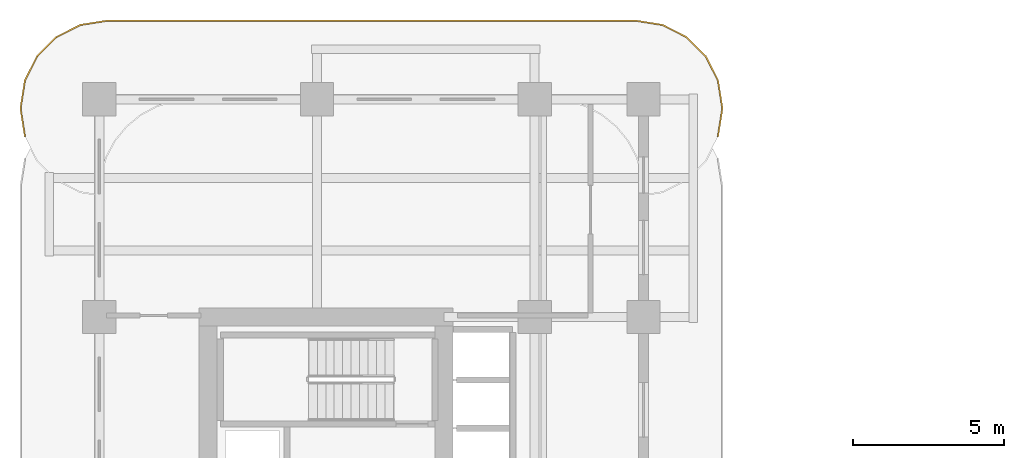
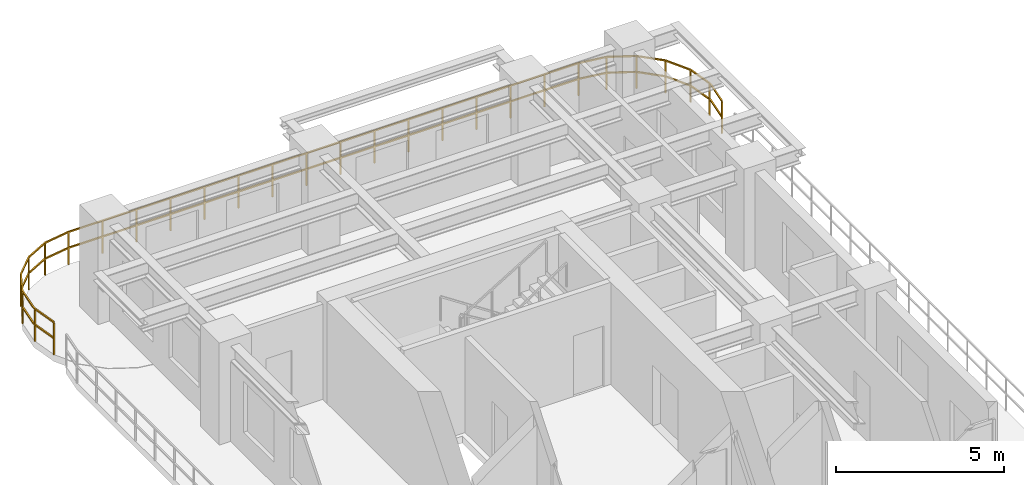
# One storey, part 19 of 19: 1 railing.
"""IFC4 building model written with IfcOpenShell, lengths in metres."""

from ifc_helpers import new_model, si_unit, derived_unit, direction, frame, origin, origin_2d, place, context, subcontext, project, spatial, rectangle, extrude, material, type_object, element, save


model = new_model("IFC4")

# Units and contexts
model_context = context("Model", 3, precision=1e-05, world=origin(), true_north=direction((0.0, 1.0)))
body_context = subcontext(model_context, "Body", "Model", "MODEL_VIEW")
ifc_project = project(units=[si_unit("LENGTHUNIT", "METRE"), si_unit("AREAUNIT", "SQUARE_METRE"), si_unit("VOLUMEUNIT", "CUBIC_METRE"), si_unit("PLANEANGLEUNIT", "RADIAN"), si_unit("MASSUNIT", "GRAM", prefix="KILO"), si_unit("THERMODYNAMICTEMPERATUREUNIT", "KELVIN"), si_unit("POWERUNIT", "WATT"), derived_unit("THERMALTRANSMITTANCEUNIT", [(si_unit("POWERUNIT", "WATT"), 1), (si_unit("AREAUNIT", "SQUARE_METRE"), -1), (si_unit("THERMODYNAMICTEMPERATUREUNIT", "KELVIN"), -1)])], contexts=[model_context])

# Site, building, storey
site_placement = place(None, origin())
site = spatial("IfcSite", under=ifc_project, at=site_placement, CompositionType="ELEMENT")
building_placement = place(site_placement, origin())
building = spatial("IfcBuilding", under=site, at=building_placement, Name="Zahravan Archway Hotel and Residences", CompositionType="ELEMENT")
storey_placement = place(building_placement, frame((0.0, 0.0, 62.0)))
storey = spatial("IfcBuildingStorey", under=building, at=storey_placement, Name="L14", CompositionType="ELEMENT", Elevation=62.0)

# Railing
ifc_material = material(Name="Bronze & Laminated Glass Balustrade", Category="glass")
railing_type = type_object("IfcRailingType", Name="RL-BAL-1200", PredefinedType="BALUSTRADE", material=ifc_material)
railing_placement = place(storey_placement, frame((-2.46044921875, 45.5693359375, 0.0)))
element("IfcRailing", 1, at=railing_placement, inside=storey, type_object=railing_type, Name="L14 Balustrade RL-SLB-BAL-L14-NB-1", PredefinedType="BALUSTRADE", context=body_context, shape_type="SweptSolid", body=[
    extrude(rectangle(XDim=0.048095703125, YDim=0.048095703125, at=origin_2d()), frame((0.0, 0.0, 1.17578125), z_axis=(-0.156623399917, 0.987658397726, 0.0), x_axis=(-0.987658397726, -0.156623399917, 0.0)), (0.0, 0.0, 1.0), 0.8916015625),
    extrude(rectangle(XDim=0.048095703125, YDim=0.048095703125, at=origin_2d()), frame((0.0, 0.0, 0.60009765625), z_axis=(-0.156623399917, 0.987658397726, 0.0), x_axis=(-0.987658397726, -0.156623399917, 0.0)), (0.0, 0.0, 1.0), 0.8916015625),
    extrude(rectangle(XDim=0.048095703125, YDim=0.048095703125, at=origin_2d()), frame((-0.1396484375, 0.880615234375, 1.17578125), z_axis=(0.0, 1.0, 0.0), x_axis=(-1.0, 0.0, 0.0)), (0.0, 0.0, 1.0), 0.10009765625),
    extrude(rectangle(XDim=0.048095703125, YDim=0.048095703125, at=origin_2d()), frame((-0.1396484375, 0.880615234375, 0.60009765625), z_axis=(0.0, 1.0, 0.0), x_axis=(-1.0, 0.0, 0.0)), (0.0, 0.0, 1.0), 0.10009765625),
    extrude(rectangle(XDim=0.048095703125, YDim=0.048095703125, at=origin_2d()), frame((-0.1396484375, 0.980712890625, 1.17578125), z_axis=(0.156623399917, 0.987658397726, 0.0), x_axis=(-0.987658397726, 0.156623399917, 0.0)), (0.0, 0.0, 1.0), 0.8916015625),
    extrude(rectangle(XDim=0.048095703125, YDim=0.048095703125, at=origin_2d()), frame((-0.1396484375, 0.980712890625, 0.60009765625), z_axis=(0.156623399917, 0.987658397726, 0.0), x_axis=(-0.987658397726, 0.156623399917, 0.0)), (0.0, 0.0, 1.0), 0.8916015625),
    extrude(rectangle(XDim=0.048095703125, YDim=0.048095703125, at=origin_2d()), frame((0.0, 1.861328125, 1.17578125), z_axis=(0.453991409995, 0.891006060389, 0.0), x_axis=(-0.891006060389, 0.453991409995, 0.0)), (0.0, 0.0, 1.0), 0.8916015625),
    extrude(rectangle(XDim=0.048095703125, YDim=0.048095703125, at=origin_2d()), frame((0.0, 1.861328125, 0.60009765625), z_axis=(0.453991409995, 0.891006060389, 0.0), x_axis=(-0.891006060389, 0.453991409995, 0.0)), (0.0, 0.0, 1.0), 0.8916015625),
    extrude(rectangle(XDim=0.048095703125, YDim=0.048095703125, at=origin_2d()), frame((0.40478515625, 2.65576171875, 1.17578125), z_axis=(0.706969864397, 0.70724367147, 0.0), x_axis=(-0.70724367147, 0.706969864397, 0.0)), (0.0, 0.0, 1.0), 0.8916015625),
    extrude(rectangle(XDim=0.048095703125, YDim=0.048095703125, at=origin_2d()), frame((0.40478515625, 2.65576171875, 0.60009765625), z_axis=(0.706969864397, 0.70724367147, 0.0), x_axis=(-0.70724367147, 0.706969864397, 0.0)), (0.0, 0.0, 1.0), 0.8916015625),
    extrude(rectangle(XDim=0.048095703125, YDim=0.048095703125, at=origin_2d()), frame((1.03515625, 3.286376953125, 1.17578125), z_axis=(0.891062476022, 0.45388067135, 0.0), x_axis=(-0.45388067135, 0.891062476022, 0.0)), (0.0, 0.0, 1.0), 0.891845703125),
    extrude(rectangle(XDim=0.048095703125, YDim=0.048095703125, at=origin_2d()), frame((1.03515625, 3.286376953125, 0.60009765625), z_axis=(0.891062476022, 0.45388067135, 0.0), x_axis=(-0.45388067135, 0.891062476022, 0.0)), (0.0, 0.0, 1.0), 0.891845703125),
    extrude(rectangle(XDim=0.048095703125, YDim=0.048095703125, at=origin_2d()), frame((1.829833984375, 3.691162109375, 1.17578125), z_axis=(0.987700720307, 0.156356282588, 0.0), x_axis=(-0.156356282588, 0.987700720307, 0.0)), (0.0, 0.0, 1.0), 0.8916015625),
    extrude(rectangle(XDim=0.048095703125, YDim=0.048095703125, at=origin_2d()), frame((1.829833984375, 3.691162109375, 0.60009765625), z_axis=(0.987700720307, 0.156356282588, 0.0), x_axis=(-0.156356282588, 0.987700720307, 0.0)), (0.0, 0.0, 1.0), 0.8916015625),
    extrude(rectangle(XDim=0.048095703125, YDim=0.048095703125, at=origin_2d()), frame((2.71044921875, 3.83056640625, 1.17578125), z_axis=(1.0, 0.0, 0.0), x_axis=(0.0, 1.0, 0.0)), (0.0, 0.0, 1.0), 17.5),
    extrude(rectangle(XDim=0.048095703125, YDim=0.048095703125, at=origin_2d()), frame((2.71044921875, 3.83056640625, 0.60009765625), z_axis=(1.0, 0.0, 0.0), x_axis=(0.0, 1.0, 0.0)), (0.0, 0.0, 1.0), 17.5),
    extrude(rectangle(XDim=0.048095703125, YDim=0.048095703125, at=origin_2d()), frame((20.21044921875, 3.83056640625, 1.17578125), z_axis=(0.987700720307, -0.156356282588, 0.0), x_axis=(0.156356282588, 0.987700720307, 0.0)), (0.0, 0.0, 1.0), 0.8916015625),
    extrude(rectangle(XDim=0.048095703125, YDim=0.048095703125, at=origin_2d()), frame((20.21044921875, 3.83056640625, 0.60009765625), z_axis=(0.987700720307, -0.156356282588, 0.0), x_axis=(0.156356282588, 0.987700720307, 0.0)), (0.0, 0.0, 1.0), 0.8916015625),
    extrude(rectangle(XDim=0.048095703125, YDim=0.048095703125, at=origin_2d()), frame((21.091064453125, 3.691162109375, 1.17578125), z_axis=(0.891062476022, -0.45388067135, 0.0), x_axis=(0.45388067135, 0.891062476022, 0.0)), (0.0, 0.0, 1.0), 0.891845703125),
    extrude(rectangle(XDim=0.048095703125, YDim=0.048095703125, at=origin_2d()), frame((21.091064453125, 3.691162109375, 0.60009765625), z_axis=(0.891062476022, -0.45388067135, 0.0), x_axis=(0.45388067135, 0.891062476022, 0.0)), (0.0, 0.0, 1.0), 0.891845703125),
    extrude(rectangle(XDim=0.048095703125, YDim=0.048095703125, at=origin_2d()), frame((21.8857421875, 3.286376953125, 1.17578125), z_axis=(0.706969864397, -0.70724367147, 0.0), x_axis=(0.70724367147, 0.706969864397, 0.0)), (0.0, 0.0, 1.0), 0.8916015625),
    extrude(rectangle(XDim=0.048095703125, YDim=0.048095703125, at=origin_2d()), frame((21.8857421875, 3.286376953125, 0.60009765625), z_axis=(0.706969864397, -0.70724367147, 0.0), x_axis=(0.70724367147, 0.706969864397, 0.0)), (0.0, 0.0, 1.0), 0.8916015625),
    extrude(rectangle(XDim=0.048095703125, YDim=0.048095703125, at=origin_2d()), frame((22.51611328125, 2.65576171875, 1.17578125), z_axis=(0.453991409995, -0.891006060389, 0.0), x_axis=(0.891006060389, 0.453991409995, 0.0)), (0.0, 0.0, 1.0), 0.8916015625),
    extrude(rectangle(XDim=0.048095703125, YDim=0.048095703125, at=origin_2d()), frame((22.51611328125, 2.65576171875, 0.60009765625), z_axis=(0.453991409995, -0.891006060389, 0.0), x_axis=(0.891006060389, 0.453991409995, 0.0)), (0.0, 0.0, 1.0), 0.8916015625),
    extrude(rectangle(XDim=0.048095703125, YDim=0.048095703125, at=origin_2d()), frame((22.9208984375, 1.861328125, 1.17578125), z_axis=(0.156623399917, -0.987658397726, 0.0), x_axis=(0.987658397726, 0.156623399917, 0.0)), (0.0, 0.0, 1.0), 0.8916015625),
    extrude(rectangle(XDim=0.048095703125, YDim=0.048095703125, at=origin_2d()), frame((22.9208984375, 1.861328125, 0.60009765625), z_axis=(0.156623399917, -0.987658397726, 0.0), x_axis=(0.987658397726, 0.156623399917, 0.0)), (0.0, 0.0, 1.0), 0.8916015625),
    extrude(rectangle(XDim=0.048095703125, YDim=0.048095703125, at=origin_2d()), frame((23.060546875, 0.980712890625, 1.17578125), z_axis=(0.0, -1.0, 0.0), x_axis=(1.0, 0.0, 0.0)), (0.0, 0.0, 1.0), 0.10009765625),
    extrude(rectangle(XDim=0.048095703125, YDim=0.048095703125, at=origin_2d()), frame((23.060546875, 0.980712890625, 0.60009765625), z_axis=(0.0, -1.0, 0.0), x_axis=(1.0, 0.0, 0.0)), (0.0, 0.0, 1.0), 0.10009765625),
    extrude(rectangle(XDim=0.048095703125, YDim=0.048095703125, at=origin_2d()), frame((23.060546875, 0.880615234375, 1.17578125), z_axis=(-0.156623399917, -0.987658397726, 0.0), x_axis=(0.987658397726, -0.156623399917, 0.0)), (0.0, 0.0, 1.0), 0.8916015625),
    extrude(rectangle(XDim=0.048095703125, YDim=0.048095703125, at=origin_2d()), frame((23.060546875, 0.880615234375, 0.60009765625), z_axis=(-0.156623399917, -0.987658397726, 0.0), x_axis=(0.987658397726, -0.156623399917, 0.0)), (0.0, 0.0, 1.0), 0.8916015625),
    extrude(rectangle(XDim=0.0419921875, YDim=0.0419921875, at=origin_2d()), origin(), (0.0, 0.0, 1.0), 1.15185546875),
    extrude(rectangle(XDim=0.0419921875, YDim=0.0419921875, at=origin_2d()), frame((-0.1396484375, 0.880615234375, 0.0)), (0.0, 0.0, 1.0), 1.15185546875),
    extrude(rectangle(XDim=0.0419921875, YDim=0.0419921875, at=origin_2d()), frame((0.0, 1.861328125, 0.0)), (0.0, 0.0, 1.0), 1.15185546875),
    extrude(rectangle(XDim=0.0419921875, YDim=0.0419921875, at=origin_2d()), frame((0.40478515625, 2.65576171875, 0.0)), (0.0, 0.0, 1.0), 1.15185546875),
    extrude(rectangle(XDim=0.0419921875, YDim=0.0419921875, at=origin_2d()), frame((1.03515625, 3.286376953125, 0.0)), (0.0, 0.0, 1.0), 1.15185546875),
    extrude(rectangle(XDim=0.0419921875, YDim=0.0419921875, at=origin_2d()), frame((1.829833984375, 3.691162109375, 0.0)), (0.0, 0.0, 1.0), 1.15185546875),
    extrude(rectangle(XDim=0.0419921875, YDim=0.0419921875, at=origin_2d()), frame((2.71044921875, 3.83056640625, 0.0)), (0.0, 0.0, 1.0), 1.15185546875),
    extrude(rectangle(XDim=0.0419921875, YDim=0.0419921875, at=origin_2d()), frame((3.877197265625, 3.83056640625, 0.0)), (0.0, 0.0, 1.0), 1.15185546875),
    extrude(rectangle(XDim=0.0419921875, YDim=0.0419921875, at=origin_2d()), frame((5.043701171875, 3.83056640625, 0.0)), (0.0, 0.0, 1.0), 1.15185546875),
    extrude(rectangle(XDim=0.0419921875, YDim=0.0419921875, at=origin_2d()), frame((6.21044921875, 3.83056640625, 0.0)), (0.0, 0.0, 1.0), 1.15185546875),
    extrude(rectangle(XDim=0.0419921875, YDim=0.0419921875, at=origin_2d()), frame((7.377197265625, 3.83056640625, 0.0)), (0.0, 0.0, 1.0), 1.15185546875),
    extrude(rectangle(XDim=0.0419921875, YDim=0.0419921875, at=origin_2d()), frame((8.543701171875, 3.83056640625, 0.0)), (0.0, 0.0, 1.0), 1.15185546875),
    extrude(rectangle(XDim=0.0419921875, YDim=0.0419921875, at=origin_2d()), frame((9.71044921875, 3.83056640625, 0.0)), (0.0, 0.0, 1.0), 1.15185546875),
    extrude(rectangle(XDim=0.0419921875, YDim=0.0419921875, at=origin_2d()), frame((10.877197265625, 3.83056640625, 0.0)), (0.0, 0.0, 1.0), 1.15185546875),
    extrude(rectangle(XDim=0.0419921875, YDim=0.0419921875, at=origin_2d()), frame((12.043701171875, 3.83056640625, 0.0)), (0.0, 0.0, 1.0), 1.15185546875),
    extrude(rectangle(XDim=0.0419921875, YDim=0.0419921875, at=origin_2d()), frame((13.21044921875, 3.83056640625, 0.0)), (0.0, 0.0, 1.0), 1.15185546875),
    extrude(rectangle(XDim=0.0419921875, YDim=0.0419921875, at=origin_2d()), frame((14.377197265625, 3.83056640625, 0.0)), (0.0, 0.0, 1.0), 1.15185546875),
    extrude(rectangle(XDim=0.0419921875, YDim=0.0419921875, at=origin_2d()), frame((15.543701171875, 3.83056640625, 0.0)), (0.0, 0.0, 1.0), 1.15185546875),
    extrude(rectangle(XDim=0.0419921875, YDim=0.0419921875, at=origin_2d()), frame((16.71044921875, 3.83056640625, 0.0)), (0.0, 0.0, 1.0), 1.15185546875),
    extrude(rectangle(XDim=0.0419921875, YDim=0.0419921875, at=origin_2d()), frame((17.877197265625, 3.83056640625, 0.0)), (0.0, 0.0, 1.0), 1.15185546875),
    extrude(rectangle(XDim=0.0419921875, YDim=0.0419921875, at=origin_2d()), frame((19.043701171875, 3.83056640625, 0.0)), (0.0, 0.0, 1.0), 1.15185546875),
    extrude(rectangle(XDim=0.0419921875, YDim=0.0419921875, at=origin_2d()), frame((20.21044921875, 3.83056640625, 0.0)), (0.0, 0.0, 1.0), 1.15185546875),
    extrude(rectangle(XDim=0.0419921875, YDim=0.0419921875, at=origin_2d()), frame((21.091064453125, 3.691162109375, 0.0)), (0.0, 0.0, 1.0), 1.15185546875),
    extrude(rectangle(XDim=0.0419921875, YDim=0.0419921875, at=origin_2d()), frame((21.8857421875, 3.286376953125, 0.0)), (0.0, 0.0, 1.0), 1.15185546875),
    extrude(rectangle(XDim=0.0419921875, YDim=0.0419921875, at=origin_2d()), frame((22.51611328125, 2.65576171875, 0.0)), (0.0, 0.0, 1.0), 1.15185546875),
    extrude(rectangle(XDim=0.0419921875, YDim=0.0419921875, at=origin_2d()), frame((22.9208984375, 1.861328125, 0.0)), (0.0, 0.0, 1.0), 1.15185546875),
    extrude(rectangle(XDim=0.0419921875, YDim=0.0419921875, at=origin_2d()), frame((23.060546875, 0.980712890625, 0.0)), (0.0, 0.0, 1.0), 1.15185546875),
    extrude(rectangle(XDim=0.0419921875, YDim=0.0419921875, at=origin_2d()), frame((22.9208984375, 0.0, 0.0)), (0.0, 0.0, 1.0), 1.15185546875),
])

save(model, "model.ifc")
